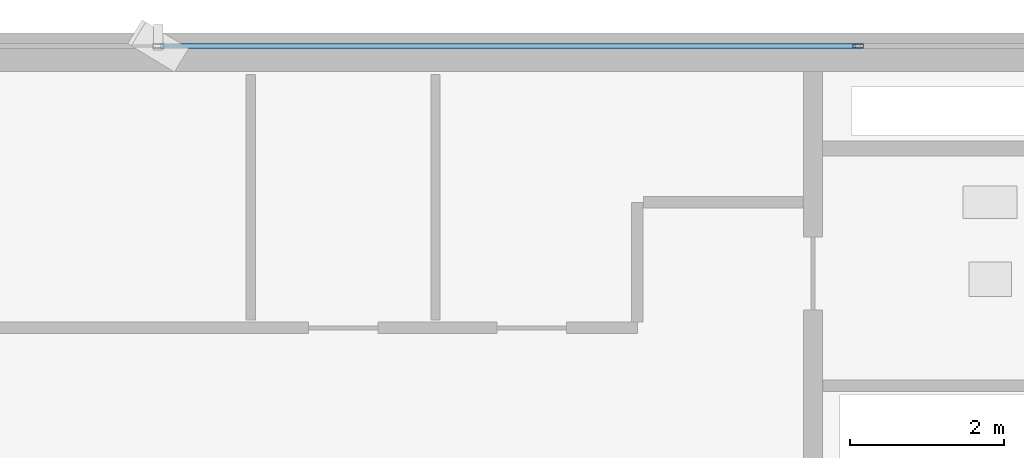
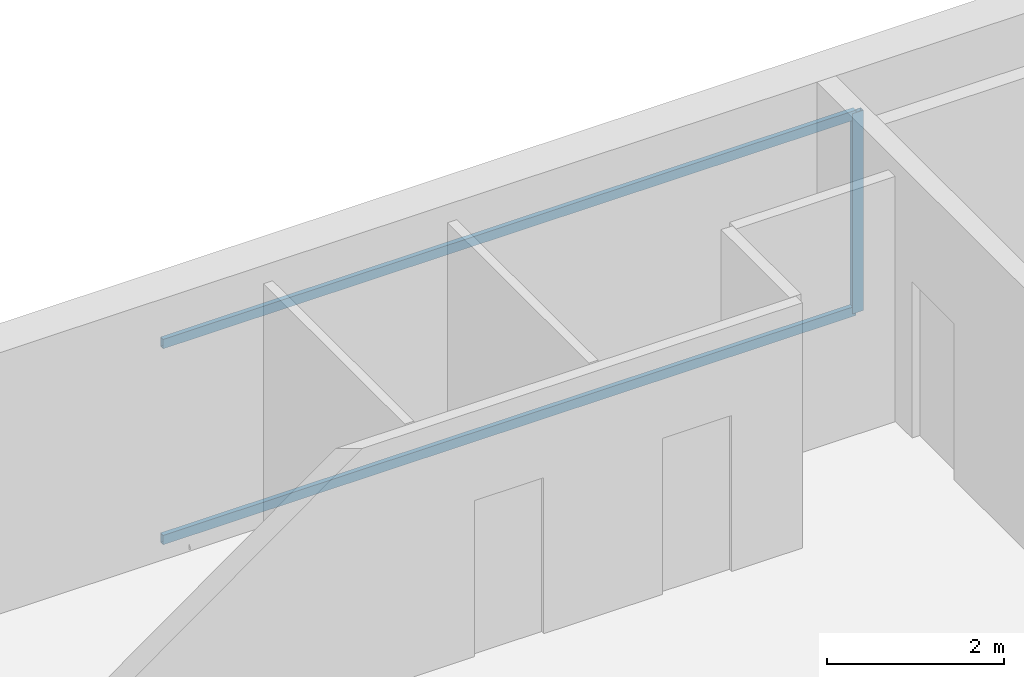
# One storey, part 21 of 29: 3 members, 1 element without a shape of its own.
"""IFC4 building model written with IfcOpenShell, lengths in metres."""

from ifc_helpers import new_model, si_unit, direction, frame, origin, origin_2d, place, context, subcontext, project, spatial, hollow_rectangle, extrude, source, transform, mapped, material, layer, layer_set, material_profile, profile_set, type_object, element, aggregate, save


model = new_model("IFC4")

# Units and contexts
model_context = context("Model", 3, precision=1e-05, world=origin(), true_north=direction((0.0, 1.0)))
body_context = subcontext(model_context, "Body", "Model", "MODEL_VIEW")
ifc_project = project(units=[si_unit("LENGTHUNIT", "METRE"), si_unit("AREAUNIT", "SQUARE_METRE"), si_unit("VOLUMEUNIT", "CUBIC_METRE"), si_unit("PLANEANGLEUNIT", "RADIAN"), si_unit("MASSUNIT", "GRAM", prefix="KILO")], contexts=[model_context])

# Site, building, storey
site_placement = place(None, origin())
site = spatial("IfcSite", under=ifc_project, at=site_placement, CompositionType="ELEMENT")
building_placement = place(site_placement, origin())
building = spatial("IfcBuilding", under=site, at=building_placement, Name="Sumidabori Civic Tower", CompositionType="ELEMENT")
storey_placement = place(building_placement, frame((0.0, 0.0, 218.0)))
storey = spatial("IfcBuildingStorey", under=building, at=storey_placement, Name="L56", CompositionType="ELEMENT", Elevation=218.0)

# Curtain wall, members
ifc_material = material(Name="Anodised Bronze Aluminium AW-6063-T6", Category="aluminium")
ifc_layer = layer(ifc_material, 0.179931640625, Name="Anodised Bronze Aluminium AW-6063-T6")
ifc_layer_set = layer_set([ifc_layer], Name="Anodised Bronze Aluminium AW-6063-T6")
curtain_wall_type = type_object("IfcCurtainWallType", Name="CW-SYS-5", PredefinedType="NOTDEFINED", material=ifc_layer_set)
curtain_wall_placement = place(storey_placement, origin())
curtain_wall = element("IfcCurtainWall", 1, at=curtain_wall_placement, inside=storey, type_object=curtain_wall_type, Name="Curtain Wall CW:L56:R13", PredefinedType="NOTDEFINED")
ifc_material_profile_1 = material_profile(ifc_material, hollow_rectangle(XDim=0.06005859375, YDim=0.139892578125, WallThickness=0.0048828125, at=origin_2d()), Name="ALU MULLION 140x60")
ifc_profile_set_1 = profile_set([ifc_material_profile_1], Name="Anodised Bronze Aluminium AW-6063-T6")
member_type_1 = type_object("IfcMemberType", Name="CW-MUL-140", PredefinedType="MULLION", material=ifc_profile_set_1)
shared_shape_1 = source(origin(), body_context, "Body", "SweptSolid", [
    extrude(hollow_rectangle(XDim=0.06005859375, YDim=0.139892578125, WallThickness=0.0048828125, at=origin_2d()), origin(), (0.0, 0.0, 1.0), 2.760009765625),
])
member_1_placement = place(storey_placement, frame((9.0849609375, 23.8798828125, 0.0), z_axis=(0.0, 0.0, 1.0), x_axis=(0.0, -1.0, 0.0)))
member_1 = element("IfcMember", 2, at=member_1_placement, type_object=member_type_1, Name="CW-5 mullion 2", PredefinedType="MULLION", context=body_context, shape_type="MappedRepresentation", body=[
    mapped(shared_shape_1, transform((0.0, 0.0, 0.0), x_axis=(1.0, 0.0, 0.0), y_axis=(0.0, 1.0, 0.0), z_axis=(0.0, 0.0, 1.0), scale=1.0)),
])
ifc_material_profile_2 = material_profile(ifc_material, hollow_rectangle(XDim=0.06005859375, YDim=0.1298828125, WallThickness=0.0048828125, at=origin_2d()), Name="ALU TRANSOM 130x60")
ifc_profile_set_2 = profile_set([ifc_material_profile_2], Name="Anodised Bronze Aluminium AW-6063-T6")
member_type_2 = type_object("IfcMemberType", Name="CW-TRN-130", PredefinedType="USERDEFINED", material=ifc_profile_set_2)
shared_shape_2 = source(origin(), body_context, "Body", "SweptSolid", [
    extrude(hollow_rectangle(XDim=0.06005859375, YDim=0.1298828125, WallThickness=0.0048828125, at=origin_2d()), origin(), (0.0, 0.0, 1.0), 9.02490234375),
])
member_2_placement = place(storey_placement, frame((9.054931640625, 23.8798828125, 0.030029296875), z_axis=(-1.0, 0.0, 0.0), x_axis=(0.0, -1.0, 0.0)))
member_2 = element("IfcMember", 3, at=member_2_placement, type_object=member_type_2, Name="CW-5 transom 2.1", ObjectType="TRANSOM", PredefinedType="USERDEFINED", context=body_context, shape_type="MappedRepresentation", body=[
    mapped(shared_shape_2, transform((0.0, 0.0, 0.0), x_axis=(1.0, 0.0, 0.0), y_axis=(0.0, 1.0, 0.0), z_axis=(0.0, 0.0, 1.0), scale=1.0)),
])
member_3_placement = place(storey_placement, frame((9.054931640625, 23.8798828125, 2.72998046875), z_axis=(-1.0, 0.0, 0.0), x_axis=(0.0, -1.0, 0.0)))
member_3 = element("IfcMember", 4, at=member_3_placement, type_object=member_type_2, Name="CW-5 transom 2.2", ObjectType="TRANSOM", PredefinedType="USERDEFINED", context=body_context, shape_type="MappedRepresentation", body=[
    mapped(shared_shape_2, transform((0.0, 0.0, 0.0), x_axis=(1.0, 0.0, 0.0), y_axis=(0.0, 1.0, 0.0), z_axis=(0.0, 0.0, 1.0), scale=1.0)),
])
aggregate(curtain_wall, [member_1, member_2, member_3])

save(model, "model.ifc")
